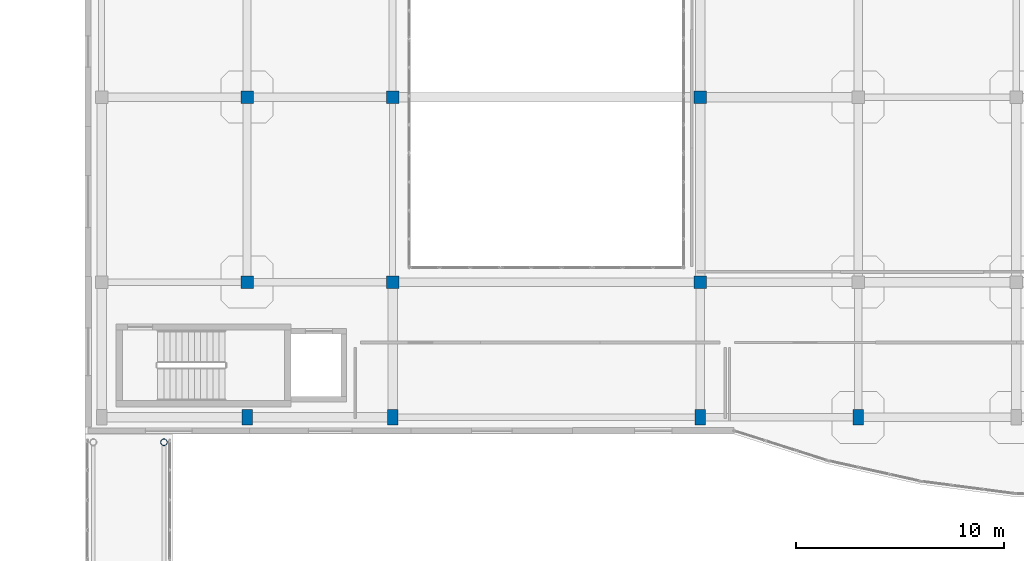
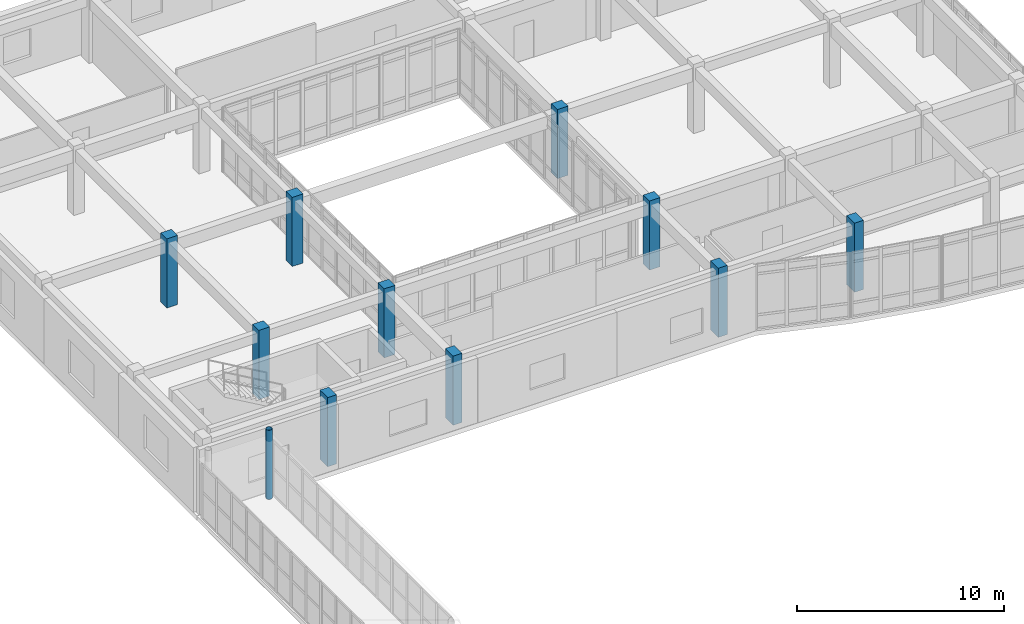
# One storey, part 12 of 146: 11 columns.
"""IFC4 building model written with IfcOpenShell, lengths in metres."""

from ifc_helpers import new_model, si_unit, direction, frame, origin, origin_2d, place, context, subcontext, project, spatial, rectangle, hollow_circle, extrude, material, material_profile, profile_set, type_object, element, save


model = new_model("IFC4")

# Units and contexts
model_context = context("Model", 3, precision=1e-05, world=origin(), true_north=direction((0.0, 1.0)))
body_context = subcontext(model_context, "Body", "Model", "MODEL_VIEW")
ifc_project = project(units=[si_unit("LENGTHUNIT", "METRE"), si_unit("AREAUNIT", "SQUARE_METRE"), si_unit("VOLUMEUNIT", "CUBIC_METRE"), si_unit("PLANEANGLEUNIT", "RADIAN"), si_unit("MASSUNIT", "GRAM", prefix="KILO")], contexts=[model_context])

# Site, building, storey
site_placement = place(None, origin())
site = spatial("IfcSite", under=ifc_project, at=site_placement, CompositionType="ELEMENT")
building_placement = place(site_placement, origin())
building = spatial("IfcBuilding", under=site, at=building_placement, Name="Valcora Specialist Clinic", CompositionType="ELEMENT")
storey_placement = place(building_placement, frame((0.0, 0.0, 9.52001953125)))
storey = spatial("IfcBuildingStorey", under=building, at=storey_placement, Name="L02", CompositionType="ELEMENT", Elevation=9.52001953125)

# Columns
ifc_material_1 = material(Name="Steel ASTM A500 Grade C", Category="steel")
ifc_material_profile_1 = material_profile(ifc_material_1, hollow_circle(Radius=0.162109375, WallThickness=0.011962890625, at=origin_2d()), Name="ST-CHS-324X12")
ifc_profile_set_1 = profile_set([ifc_material_profile_1], Name="Steel ASTM A500 Grade C")
column_type_1 = type_object("IfcColumnType", Name="TY-COL-CHS324", PredefinedType="COLUMN", material=ifc_profile_set_1)
column_placement = place(storey_placement, frame((65.0, 73.60009765625, 0.0), z_axis=(0.0, 0.0, 1.0), x_axis=(1.0, 0.0, 0.0)))
element("IfcColumn", 1, at=column_placement, inside=storey, type_object=column_type_1, Name="Column COL-L02-1004", PredefinedType="COLUMN", context=body_context, shape_type="SweptSolid", body=[
    extrude(hollow_circle(Radius=0.162109375, WallThickness=0.011962890625, at=origin_2d()), origin(), (0.0, 0.0, 1.0), 4.080078125),
])
ifc_material_2 = material(Name="Concrete C40/50", Category="concrete")
ifc_material_profile_2 = material_profile(ifc_material_2, rectangle(XDim=0.5, YDim=0.75, at=origin_2d()), Name="RC-COL-500X750")
ifc_profile_set_2 = profile_set([ifc_material_profile_2], Name="Concrete C40/50")
column_type_2 = type_object("IfcColumnType", Name="TY-COL-RC500X750", PredefinedType="COLUMN", material=ifc_profile_set_2)
for number, where, z_axis, x_axis, name in (
    (2, (69.0, 74.800048828125, 0.0), (0.0, 0.0, 1.0), (1.0, 0.0, 0.0), "Column COL-L02-0329"),
    (3, (76.0, 74.800048828125, 0.0), (0.0, 0.0, 1.0), (1.0, 0.0, 0.0), "Column COL-L02-0354"),
    (4, (90.800048828125, 74.800048828125, 0.0), (0.0, 0.0, 1.0), (1.0, 0.0, 0.0), "Column COL-L02-0379"),
    (5, (98.39990234375, 74.800048828125, 0.0), (0.0, 0.0, 1.0), (1.0, 0.0, 0.0), "Column COL-L02-0404"),
):
    element("IfcColumn", number, at=place(storey_placement, frame(where, z_axis=z_axis, x_axis=x_axis)), inside=storey, type_object=column_type_2, Name=name, PredefinedType="COLUMN", context=body_context, shape_type="SweptSolid", body=[
        extrude(rectangle(XDim=0.5, YDim=0.75, at=origin_2d()), origin(), (0.0, 0.0, 1.0), 4.080078125),
    ])
ifc_material_profile_3 = material_profile(ifc_material_2, rectangle(XDim=0.60009765625, YDim=0.60009765625, at=origin_2d()), Name="RC-COL-600X600")
ifc_profile_set_3 = profile_set([ifc_material_profile_3], Name="Concrete C40/50")
column_type_3 = type_object("IfcColumnType", Name="TY-COL-RC600", PredefinedType="COLUMN", material=ifc_profile_set_3)
for number, where, z_axis, x_axis, name in (
    (6, (69.0, 81.300048828125, 0.0), (0.0, 0.0, 1.0), (1.0, 0.0, 0.0), "Column COL-L02-0334"),
    (7, (69.0, 90.199951171875, 0.0), (0.0, 0.0, 1.0), (1.0, 0.0, 0.0), "Column COL-L02-0339"),
    (8, (76.0, 81.300048828125, 0.0), (0.0, 0.0, 1.0), (1.0, 0.0, 0.0), "Column COL-L02-0359"),
    (9, (76.0, 90.199951171875, 0.0), (0.0, 0.0, 1.0), (1.0, 0.0, 0.0), "Column COL-L02-0364"),
    (10, (90.800048828125, 81.300048828125, 0.0), (0.0, 0.0, 1.0), (1.0, 0.0, 0.0), "Column COL-L02-0384"),
    (11, (90.800048828125, 90.199951171875, 0.0), (0.0, 0.0, 1.0), (1.0, 0.0, 0.0), "Column COL-L02-0389"),
):
    element("IfcColumn", number, at=place(storey_placement, frame(where, z_axis=z_axis, x_axis=x_axis)), inside=storey, type_object=column_type_3, Name=name, PredefinedType="COLUMN", context=body_context, shape_type="SweptSolid", body=[
        extrude(rectangle(XDim=0.60009765625, YDim=0.60009765625, at=origin_2d()), origin(), (0.0, 0.0, 1.0), 4.080078125),
    ])

save(model, "model.ifc")
